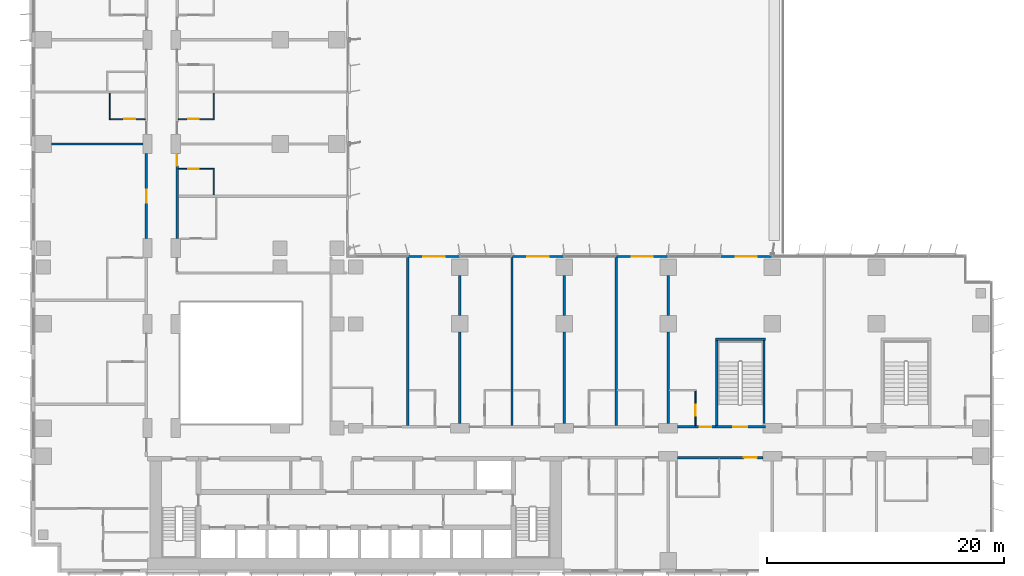
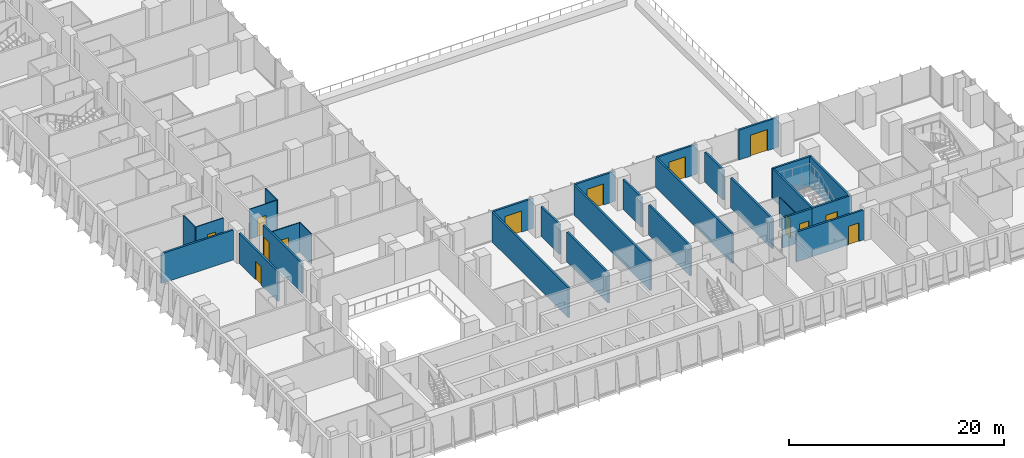
# One storey, part 13 of 23: 29 walls, 13 doors, 13 openings.
"""IFC4 building model written with IfcOpenShell, lengths in metres."""

from ifc_helpers import new_model, si_unit, direction, frame, frame_2d, origin, place, context, subcontext, project, spatial, rectangle, extrude, material, layer, layer_set, type_object, element, fill, save


model = new_model("IFC4")

# Units and contexts
model_context = context("Model", 3, precision=1e-05, world=origin(), true_north=direction((0.0, 1.0)))
body_context = subcontext(model_context, "Body", "Model", "MODEL_VIEW")
ifc_project = project(units=[si_unit("LENGTHUNIT", "METRE"), si_unit("AREAUNIT", "SQUARE_METRE"), si_unit("VOLUMEUNIT", "CUBIC_METRE"), si_unit("PLANEANGLEUNIT", "RADIAN"), si_unit("MASSUNIT", "GRAM", prefix="KILO")], contexts=[model_context])

# Site, building, storey
site_placement = place(None, origin())
site = spatial("IfcSite", under=ifc_project, at=site_placement, CompositionType="ELEMENT")
building_placement = place(site_placement, origin())
building = spatial("IfcBuilding", under=site, at=building_placement, Name="Kemantara Hotel Tower", CompositionType="ELEMENT")
storey_placement = place(building_placement, frame((0.0, 0.0, 34.0)))
storey = spatial("IfcBuildingStorey", under=building, at=storey_placement, Name="L06", CompositionType="ELEMENT", Elevation=34.0)

# Wall, opening, door
ifc_material_1 = material(Name="Gypsum board partition, steel studs and mineral wool, 200 mm", Category="steel")
ifc_layer_1 = layer(ifc_material_1, 0.199951171875)
ifc_layer_set_1 = layer_set([ifc_layer_1], Name="Gypsum board partition, steel studs and mineral wool, 200 mm")
wall_type_1 = type_object("IfcWallType", Name="CORRIDOR WALL 200", PredefinedType="PARTITIONING", material=ifc_layer_set_1)
wall_1_placement = place(storey_placement, frame((61.7998046875, 9.699951171875, 0.0), z_axis=(0.0, 0.0, 1.0), x_axis=(-1.0, 0.0, 0.0)))
wall_1 = element("IfcWall", 1, at=wall_1_placement, inside=storey, type_object=wall_type_1, Name="CORRIDOR WALL 200 002", PredefinedType="PARTITIONING", context=body_context, shape_type="SweptSolid", body=[
    extrude(rectangle(XDim=7.19970703125, YDim=0.199951171875, at=frame_2d((3.599853515625, 0.0))), origin(), (0.0, 0.0, 1.0), 3.39990234375),
])
opening_1_placement = place(wall_1_placement, frame((0.5, 0.0, 0.0)))
opening_1 = element("IfcOpeningElement", 2, at=opening_1_placement, cuts=wall_1, Name="Opening F01-005", PredefinedType="OPENING", context=body_context, shape_type="SweptSolid", body=[
    extrude(rectangle(XDim=1.10009765625, YDim=2.10009765625, at=frame_2d((0.550048828125, 1.050048828125))), frame((0.0, 0.10986328125, 0.0), z_axis=(0.0, -1.0, 0.0), x_axis=(1.0, 0.0, 0.0)), (0.0, 0.0, 1.0), 0.219970703125),
])
ifc_material_2 = material(Name="Hardwood veneer door leaf with steel frame", Category="steel")
door_type_1 = type_object("IfcDoorType", Name="SUITE ENTRANCE DOOR 1100 X 2100 FD30S", OperationType="NOTDEFINED", PredefinedType="DOOR", material=ifc_material_2)
door_1_placement = place(opening_1_placement, origin())
door_1 = element("IfcDoor", 3, at=door_1_placement, inside=storey, type_object=door_type_1, Name="SUITE ENTRANCE DOOR F01-005", OperationType="SINGLE_SWING_LEFT", OverallHeight=2.10009765625, OverallWidth=1.10009765625, PredefinedType="DOOR", context=body_context, shape_type="SweptSolid", body=[
    extrude(rectangle(XDim=1.10009765625, YDim=2.10009765625, at=frame_2d((0.550048828125, 1.050048828125))), frame((0.0, 0.02490234375, 0.0), z_axis=(0.0, -1.0, 0.0), x_axis=(1.0, 0.0, 0.0)), (0.0, 0.0, 1.0), 0.050048828125),
])
fill(opening_1, door_1)

wall_2_placement = place(storey_placement, frame((54.60009765625, 12.300048828125, 0.0), z_axis=(0.0, 0.0, 1.0), x_axis=(1.0, 0.0, 0.0)))
wall_2 = element("IfcWall", 4, at=wall_2_placement, inside=storey, type_object=wall_type_1, Name="CORRIDOR WALL 200 018", PredefinedType="PARTITIONING", context=body_context, shape_type="SweptSolid", body=[
    extrude(rectangle(XDim=3.199951171875, YDim=0.199951171875, at=frame_2d((1.60009765625, 0.0))), origin(), (0.0, 0.0, 1.0), 3.39990234375),
])
opening_2_placement = place(wall_2_placement, frame((1.849853515625, 0.0, 0.0)))
opening_2 = element("IfcOpeningElement", 5, at=opening_2_placement, cuts=wall_2, Name="Opening F01-025", PredefinedType="OPENING", context=body_context, shape_type="SweptSolid", body=[
    extrude(rectangle(XDim=1.0, YDim=2.10009765625, at=frame_2d((0.5, 1.050048828125))), frame((0.0, 0.10986328125, 0.0), z_axis=(0.0, -1.0, 0.0), x_axis=(1.0, 0.0, 0.0)), (0.0, 0.0, 1.0), 0.219970703125),
])
door_type_2 = type_object("IfcDoorType", Name="GUEST ROOM DOOR 1000 X 2100 FD30S", OperationType="NOTDEFINED", PredefinedType="DOOR", material=ifc_material_2)
door_2_placement = place(opening_2_placement, origin())
door_2 = element("IfcDoor", 6, at=door_2_placement, inside=storey, type_object=door_type_2, Name="GUEST ROOM DOOR F01-025", OperationType="SINGLE_SWING_RIGHT", OverallHeight=2.10009765625, OverallWidth=1.0, PredefinedType="DOOR", context=body_context, shape_type="SweptSolid", body=[
    extrude(rectangle(XDim=1.0, YDim=2.10009765625, at=frame_2d((0.5, 1.050048828125))), frame((0.0, 0.02490234375, 0.0), z_axis=(0.0, -1.0, 0.0), x_axis=(1.0, 0.0, 0.0)), (0.0, 0.0, 1.0), 0.050048828125),
])
fill(opening_2, door_2)

wall_3_placement = place(storey_placement, frame((9.699951171875, 28.2001953125, 0.0), z_axis=(0.0, 0.0, 1.0), x_axis=(0.0, 1.0, 0.0)))
wall_3 = element("IfcWall", 7, at=wall_3_placement, inside=storey, type_object=wall_type_1, Name="CORRIDOR WALL 200 033", PredefinedType="PARTITIONING", context=body_context, shape_type="SweptSolid", body=[
    extrude(rectangle(XDim=7.19970703125, YDim=0.199951171875, at=frame_2d((3.599853515625, 0.0))), origin(), (0.0, 0.0, 1.0), 3.39990234375),
])
opening_3_placement = place(wall_3_placement, frame((3.0498046875, 0.0, 0.0)))
opening_3 = element("IfcOpeningElement", 8, at=opening_3_placement, cuts=wall_3, Name="Opening F01-039", PredefinedType="OPENING", context=body_context, shape_type="SweptSolid", body=[
    extrude(rectangle(XDim=1.10009765625, YDim=2.10009765625, at=frame_2d((0.550048828125, 1.050048828125))), frame((0.0, 0.10986328125, 0.0), z_axis=(0.0, -1.0, 0.0), x_axis=(1.0, 0.0, 0.0)), (0.0, 0.0, 1.0), 0.219970703125),
])
door_3_placement = place(opening_3_placement, origin())
door_3 = element("IfcDoor", 9, at=door_3_placement, inside=storey, type_object=door_type_1, Name="SUITE ENTRANCE DOOR F01-039", OperationType="SINGLE_SWING_RIGHT", OverallHeight=2.10009765625, OverallWidth=1.10009765625, PredefinedType="DOOR", context=body_context, shape_type="SweptSolid", body=[
    extrude(rectangle(XDim=1.10009765625, YDim=2.10009765625, at=frame_2d((0.550048828125, 1.050048828125))), frame((0.0, 0.02490234375, 0.0), z_axis=(0.0, -1.0, 0.0), x_axis=(1.0, 0.0, 0.0)), (0.0, 0.0, 1.0), 0.050048828125),
])
fill(opening_3, door_3)

wall_4_placement = place(storey_placement, frame((12.300048828125, 35.39990234375, 0.0), z_axis=(0.0, 0.0, 1.0), x_axis=(0.0, -1.0, 0.0)))
wall_4 = element("IfcWall", 10, at=wall_4_placement, inside=storey, type_object=wall_type_1, Name="CORRIDOR WALL 200 057", PredefinedType="PARTITIONING", context=body_context, shape_type="SweptSolid", body=[
    extrude(rectangle(XDim=7.19970703125, YDim=0.199951171875, at=frame_2d((3.599853515625, 0.0))), origin(), (0.0, 0.0, 1.0), 3.39990234375),
])
opening_4_placement = place(wall_4_placement, frame((0.0498046875, 0.0, 0.0)))
opening_4 = element("IfcOpeningElement", 11, at=opening_4_placement, cuts=wall_4, Name="Opening F01-059", PredefinedType="OPENING", context=body_context, shape_type="SweptSolid", body=[
    extrude(rectangle(XDim=1.0, YDim=2.10009765625, at=frame_2d((0.5, 1.050048828125))), frame((0.0, 0.10986328125, 0.0), z_axis=(0.0, -1.0, 0.0), x_axis=(1.0, 0.0, 0.0)), (0.0, 0.0, 1.0), 0.219970703125),
])
door_4_placement = place(opening_4_placement, origin())
door_4 = element("IfcDoor", 12, at=door_4_placement, inside=storey, type_object=door_type_2, Name="GUEST ROOM DOOR F01-059", OperationType="SINGLE_SWING_LEFT", OverallHeight=2.10009765625, OverallWidth=1.0, PredefinedType="DOOR", context=body_context, shape_type="SweptSolid", body=[
    extrude(rectangle(XDim=1.0, YDim=2.10009765625, at=frame_2d((0.5, 1.050048828125))), frame((0.0, 0.02490234375, 0.0), z_axis=(0.0, -1.0, 0.0), x_axis=(1.0, 0.0, 0.0)), (0.0, 0.0, 1.0), 0.050048828125),
])
fill(opening_4, door_4)

ifc_material_3 = material(Name="Concrete fc 40 MPa", Category="concrete")
ifc_layer_2 = layer(ifc_material_3, 0.199951171875)
ifc_layer_set_2 = layer_set([ifc_layer_2], Name="Concrete fc 40 MPa")
wall_type_2 = type_object("IfcWallType", Name="Concrete stair wall 200 mm", PredefinedType="SHEAR", material=ifc_layer_set_2)
wall_5_placement = place(storey_placement, frame((57.800048828125, 12.300048828125, 0.0), z_axis=(0.0, 0.0, 1.0), x_axis=(1.0, 0.0, 0.0)))
wall_5 = element("IfcWall", 13, at=wall_5_placement, inside=storey, type_object=wall_type_2, Name="Stair ST3 enclosure wall with door", PredefinedType="SHEAR", context=body_context, shape_type="SweptSolid", body=[
    extrude(rectangle(XDim=4.199951171875, YDim=0.199951171875, at=frame_2d((2.10009765625, 0.0))), origin(), (0.0, 0.0, 1.0), 3.39990234375),
])
opening_5_placement = place(wall_5_placement, frame((1.5, 0.0, 0.0)))
opening_5 = element("IfcOpeningElement", 14, at=opening_5_placement, cuts=wall_5, Name="Opening ST3-C", PredefinedType="OPENING", context=body_context, shape_type="SweptSolid", body=[
    extrude(rectangle(XDim=1.199951171875, YDim=2.10009765625, at=frame_2d((0.60009765625, 1.050048828125))), frame((0.0, 0.10986328125, 0.0), z_axis=(0.0, -1.0, 0.0), x_axis=(1.0, 0.0, 0.0)), (0.0, 0.0, 1.0), 0.219970703125),
])
ifc_material_4 = material(Name="Steel fire door", Category="steel")
door_type_3 = type_object("IfcDoorType", Name="Fire door FD90 1200 x 2100", OperationType="NOTDEFINED", PredefinedType="DOOR", material=ifc_material_4)
door_5_placement = place(opening_5_placement, origin())
door_5 = element("IfcDoor", 15, at=door_5_placement, inside=storey, type_object=door_type_3, Name="Stair ST3 door", OperationType="SINGLE_SWING_RIGHT", OverallHeight=2.10009765625, OverallWidth=1.199951171875, PredefinedType="DOOR", context=body_context, shape_type="SweptSolid", body=[
    extrude(rectangle(XDim=1.199951171875, YDim=2.10009765625, at=frame_2d((0.60009765625, 1.050048828125))), frame((0.0, 0.02490234375, 0.0), z_axis=(0.0, -1.0, 0.0), x_axis=(1.0, 0.0, 0.0)), (0.0, 0.0, 1.0), 0.050048828125),
])
fill(opening_5, door_5)

# Walls
wall_6_placement = place(storey_placement, frame((57.800048828125, 19.699951171875, 0.0), z_axis=(0.0, 0.0, 1.0), x_axis=(1.0, 0.0, 0.0)))
element("IfcWall", 16, at=wall_6_placement, inside=storey, type_object=wall_type_2, Name="Stair ST3 enclosure wall N", PredefinedType="SHEAR", context=body_context, shape_type="SweptSolid", body=[
    extrude(rectangle(XDim=4.199951171875, YDim=0.199951171875, at=frame_2d((2.10009765625, 0.0))), origin(), (0.0, 0.0, 1.0), 3.39990234375),
])
for number, where, z_axis, x_axis, name in (
    (17, (57.89990234375, 12.39990234375, 0.0), (0.0, 0.0, 1.0), (0.0, 1.0, 0.0), "Stair ST3 enclosure wall W"),
    (18, (61.89990234375, 12.39990234375, 0.0), (0.0, 0.0, 1.0), (0.0, 1.0, 0.0), "Stair ST3 enclosure wall E"),
):
    element("IfcWall", number, at=place(storey_placement, frame(where, z_axis=z_axis, x_axis=x_axis)), inside=storey, type_object=wall_type_2, Name=name, PredefinedType="SHEAR", context=body_context, shape_type="SweptSolid", body=[
        extrude(rectangle(XDim=7.2001953125, YDim=0.199951171875, at=frame_2d((3.60009765625, 0.0))), origin(), (0.0, 0.0, 1.0), 3.39990234375),
    ])
ifc_layer_3 = layer(ifc_material_1, 0.199951171875)
ifc_layer_set_3 = layer_set([ifc_layer_3], Name="Gypsum board partition, steel studs and mineral wool, 200 mm")
wall_type_3 = type_object("IfcWallType", Name="GUEST ROOM PARTY WALL 200", PredefinedType="PARTITIONING", material=ifc_layer_set_3)
wall_7_placement = place(storey_placement, frame((49.39990234375, 12.39990234375, 0.0), z_axis=(0.0, 0.0, 1.0), x_axis=(0.0, 1.0, 0.0)))
element("IfcWall", 19, at=wall_7_placement, inside=storey, type_object=wall_type_3, Name="GUEST ROOM PARTY WALL 200 006", PredefinedType="PARTITIONING", context=body_context, shape_type="SweptSolid", body=[
    extrude(rectangle(XDim=14.199951171875, YDim=0.199951171875, at=frame_2d((7.10009765625, 0.0))), origin(), (0.0, 0.0, 1.0), 3.39990234375),
])
wall_8_placement = place(storey_placement, frame((53.800048828125, 12.60009765625, 0.0), z_axis=(0.0, 0.0, 1.0), x_axis=(0.0, 1.0, 0.0)))
element("IfcWall", 20, at=wall_8_placement, inside=storey, type_object=wall_type_3, Name="GUEST ROOM PARTY WALL 200 008", PredefinedType="PARTITIONING", context=body_context, shape_type="SweptSolid", body=[
    extrude(rectangle(XDim=7.69970703125, YDim=0.199951171875, at=frame_2d((3.849853515625, 0.0))), origin(), (0.0, 0.0, 1.0), 3.39990234375),
])
wall_9_placement = place(storey_placement, frame((53.800048828125, 21.7001953125, 0.0), z_axis=(0.0, 0.0, 1.0), x_axis=(0.0, 1.0, 0.0)))
element("IfcWall", 21, at=wall_9_placement, inside=storey, type_object=wall_type_3, Name="GUEST ROOM PARTY WALL 200 009", PredefinedType="PARTITIONING", context=body_context, shape_type="SweptSolid", body=[
    extrude(rectangle(XDim=3.399658203125, YDim=0.199951171875, at=frame_2d((1.69970703125, 0.0))), origin(), (0.0, 0.0, 1.0), 3.39990234375),
])
wall_10_placement = place(storey_placement, frame((31.800048828125, 12.39990234375, 0.0), z_axis=(0.0, 0.0, 1.0), x_axis=(0.0, 1.0, 0.0)))
element("IfcWall", 22, at=wall_10_placement, inside=storey, type_object=wall_type_3, Name="GUEST ROOM PARTY WALL 200 024", PredefinedType="PARTITIONING", context=body_context, shape_type="SweptSolid", body=[
    extrude(rectangle(XDim=14.199951171875, YDim=0.199951171875, at=frame_2d((7.10009765625, 0.0))), origin(), (0.0, 0.0, 1.0), 3.39990234375),
])
wall_11_placement = place(storey_placement, frame((36.199951171875, 12.60009765625, 0.0), z_axis=(0.0, 0.0, 1.0), x_axis=(0.0, 1.0, 0.0)))
element("IfcWall", 23, at=wall_11_placement, inside=storey, type_object=wall_type_3, Name="GUEST ROOM PARTY WALL 200 025", PredefinedType="PARTITIONING", context=body_context, shape_type="SweptSolid", body=[
    extrude(rectangle(XDim=7.69970703125, YDim=0.199951171875, at=frame_2d((3.849853515625, 0.0))), origin(), (0.0, 0.0, 1.0), 3.39990234375),
])
wall_12_placement = place(storey_placement, frame((36.199951171875, 21.7001953125, 0.0), z_axis=(0.0, 0.0, 1.0), x_axis=(0.0, 1.0, 0.0)))
element("IfcWall", 24, at=wall_12_placement, inside=storey, type_object=wall_type_3, Name="GUEST ROOM PARTY WALL 200 026", PredefinedType="PARTITIONING", context=body_context, shape_type="SweptSolid", body=[
    extrude(rectangle(XDim=3.399658203125, YDim=0.199951171875, at=frame_2d((1.69970703125, 0.0))), origin(), (0.0, 0.0, 1.0), 3.39990234375),
])
wall_13_placement = place(storey_placement, frame((40.60009765625, 12.39990234375, 0.0), z_axis=(0.0, 0.0, 1.0), x_axis=(0.0, 1.0, 0.0)))
element("IfcWall", 25, at=wall_13_placement, inside=storey, type_object=wall_type_3, Name="GUEST ROOM PARTY WALL 200 027", PredefinedType="PARTITIONING", context=body_context, shape_type="SweptSolid", body=[
    extrude(rectangle(XDim=14.199951171875, YDim=0.199951171875, at=frame_2d((7.10009765625, 0.0))), origin(), (0.0, 0.0, 1.0), 3.39990234375),
])
wall_14_placement = place(storey_placement, frame((45.0, 12.60009765625, 0.0), z_axis=(0.0, 0.0, 1.0), x_axis=(0.0, 1.0, 0.0)))
element("IfcWall", 26, at=wall_14_placement, inside=storey, type_object=wall_type_3, Name="GUEST ROOM PARTY WALL 200 028", PredefinedType="PARTITIONING", context=body_context, shape_type="SweptSolid", body=[
    extrude(rectangle(XDim=7.69970703125, YDim=0.199951171875, at=frame_2d((3.849853515625, 0.0))), origin(), (0.0, 0.0, 1.0), 3.39990234375),
])
wall_15_placement = place(storey_placement, frame((45.0, 21.7001953125, 0.0), z_axis=(0.0, 0.0, 1.0), x_axis=(0.0, 1.0, 0.0)))
element("IfcWall", 27, at=wall_15_placement, inside=storey, type_object=wall_type_3, Name="GUEST ROOM PARTY WALL 200 029", PredefinedType="PARTITIONING", context=body_context, shape_type="SweptSolid", body=[
    extrude(rectangle(XDim=3.399658203125, YDim=0.199951171875, at=frame_2d((1.69970703125, 0.0))), origin(), (0.0, 0.0, 1.0), 3.39990234375),
])
wall_16_placement = place(storey_placement, frame((1.7001953125, 36.199951171875, 0.0), z_axis=(0.0, 0.0, 1.0), x_axis=(1.0, 0.0, 0.0)))
element("IfcWall", 28, at=wall_16_placement, inside=storey, type_object=wall_type_3, Name="GUEST ROOM PARTY WALL 200 041", PredefinedType="PARTITIONING", context=body_context, shape_type="SweptSolid", body=[
    extrude(rectangle(XDim=7.69970703125, YDim=0.199951171875, at=frame_2d((3.849853515625, 0.0))), origin(), (0.0, 0.0, 1.0), 3.39990234375),
])

# Wall, opening, door
ifc_material_5 = material(Name="Gypsum board partition on steel studs, 100 mm", Category="steel")
ifc_layer_4 = layer(ifc_material_5, 0.10009765625)
ifc_layer_set_4 = layer_set([ifc_layer_4], Name="Gypsum board partition on steel studs, 100 mm")
wall_type_4 = type_object("IfcWallType", Name="ROOM PARTITION 100", PredefinedType="PARTITIONING", material=ifc_layer_set_4)
wall_17_placement = place(storey_placement, frame((56.10009765625, 12.39990234375, 0.0), z_axis=(0.0, 0.0, 1.0), x_axis=(0.0, 1.0, 0.0)))
wall_17 = element("IfcWall", 29, at=wall_17_placement, inside=storey, type_object=wall_type_4, Name="ROOM PARTITION 100 102", PredefinedType="PARTITIONING", context=body_context, shape_type="SweptSolid", body=[
    extrude(rectangle(XDim=2.9501953125, YDim=0.10009765625, at=frame_2d((1.47509765625, 0.0))), origin(), (0.0, 0.0, 1.0), 3.39990234375),
])
opening_6_placement = place(wall_17_placement, frame((0.85009765625, 0.0, 0.0)))
opening_6 = element("IfcOpeningElement", 30, at=opening_6_placement, cuts=wall_17, Name="Opening F01-026", PredefinedType="OPENING", context=body_context, shape_type="SweptSolid", body=[
    extrude(rectangle(XDim=0.89990234375, YDim=2.10009765625, at=frame_2d((0.449951171875, 1.050048828125))), frame((0.0, 0.06005859375, 0.0), z_axis=(0.0, -1.0, 0.0), x_axis=(1.0, 0.0, 0.0)), (0.0, 0.0, 1.0), 0.1201171875),
])
door_type_4 = type_object("IfcDoorType", Name="BATHROOM DOOR 900 X 2100", OperationType="NOTDEFINED", PredefinedType="DOOR", material=ifc_material_2)
door_6_placement = place(opening_6_placement, origin())
door_6 = element("IfcDoor", 31, at=door_6_placement, inside=storey, type_object=door_type_4, Name="BATHROOM DOOR F01-026", OperationType="SINGLE_SWING_LEFT", OverallHeight=2.10009765625, OverallWidth=0.89990234375, PredefinedType="DOOR", context=body_context, shape_type="SweptSolid", body=[
    extrude(rectangle(XDim=0.89990234375, YDim=2.10009765625, at=frame_2d((0.449951171875, 1.050048828125))), frame((0.0, 0.02490234375, 0.0), z_axis=(0.0, -1.0, 0.0), x_axis=(1.0, 0.0, 0.0)), (0.0, 0.0, 1.0), 0.050048828125),
])
fill(opening_6, door_6)

# Wall
wall_18_placement = place(storey_placement, frame((6.60009765625, 38.25, 0.0), z_axis=(0.0, 0.0, 1.0), x_axis=(0.0, 1.0, 0.0)))
element("IfcWall", 32, at=wall_18_placement, inside=storey, type_object=wall_type_4, Name="ROOM PARTITION 100 116", PredefinedType="PARTITIONING", context=body_context, shape_type="SweptSolid", body=[
    extrude(rectangle(XDim=2.25, YDim=0.10009765625, at=frame_2d((1.125, 0.0))), origin(), (0.0, 0.0, 1.0), 3.39990234375),
])

# Wall, opening, door
wall_19_placement = place(storey_placement, frame((6.64990234375, 38.300048828125, 0.0), z_axis=(0.0, 0.0, 1.0), x_axis=(1.0, 0.0, 0.0)))
wall_19 = element("IfcWall", 33, at=wall_19_placement, inside=storey, type_object=wall_type_4, Name="ROOM PARTITION 100 121", PredefinedType="PARTITIONING", context=body_context, shape_type="SweptSolid", body=[
    extrude(rectangle(XDim=2.9501953125, YDim=0.10009765625, at=frame_2d((1.47509765625, 0.0))), origin(), (0.0, 0.0, 1.0), 3.39990234375),
])
opening_7_placement = place(wall_19_placement, frame((1.199951171875, 0.0, 0.0)))
opening_7 = element("IfcOpeningElement", 34, at=opening_7_placement, cuts=wall_19, Name="Opening F01-042", PredefinedType="OPENING", context=body_context, shape_type="SweptSolid", body=[
    extrude(rectangle(XDim=0.89990234375, YDim=2.10009765625, at=frame_2d((0.449951171875, 1.050048828125))), frame((0.0, 0.06005859375, 0.0), z_axis=(0.0, -1.0, 0.0), x_axis=(1.0, 0.0, 0.0)), (0.0, 0.0, 1.0), 0.1201171875),
])
door_7_placement = place(opening_7_placement, origin())
door_7 = element("IfcDoor", 35, at=door_7_placement, inside=storey, type_object=door_type_4, Name="BATHROOM DOOR F01-042", OperationType="SINGLE_SWING_RIGHT", OverallHeight=2.10009765625, OverallWidth=0.89990234375, PredefinedType="DOOR", context=body_context, shape_type="SweptSolid", body=[
    extrude(rectangle(XDim=0.89990234375, YDim=2.10009765625, at=frame_2d((0.449951171875, 1.050048828125))), frame((0.0, 0.02490234375, 0.0), z_axis=(0.0, -1.0, 0.0), x_axis=(1.0, 0.0, 0.0)), (0.0, 0.0, 1.0), 0.050048828125),
])
fill(opening_7, door_7)

wall_20_placement = place(storey_placement, frame((12.39990234375, 38.300048828125, 0.0), z_axis=(0.0, 0.0, 1.0), x_axis=(1.0, 0.0, 0.0)))
wall_20 = element("IfcWall", 36, at=wall_20_placement, inside=storey, type_object=wall_type_4, Name="ROOM PARTITION 100 122", PredefinedType="PARTITIONING", context=body_context, shape_type="SweptSolid", body=[
    extrude(rectangle(XDim=2.9501953125, YDim=0.10009765625, at=frame_2d((1.47509765625, 0.0))), origin(), (0.0, 0.0, 1.0), 3.39990234375),
])
opening_8_placement = place(wall_20_placement, frame((0.85009765625, 0.0, 0.0)))
opening_8 = element("IfcOpeningElement", 37, at=opening_8_placement, cuts=wall_20, Name="Opening F01-062", PredefinedType="OPENING", context=body_context, shape_type="SweptSolid", body=[
    extrude(rectangle(XDim=0.89990234375, YDim=2.10009765625, at=frame_2d((0.449951171875, 1.050048828125))), frame((0.0, 0.06005859375, 0.0), z_axis=(0.0, -1.0, 0.0), x_axis=(1.0, 0.0, 0.0)), (0.0, 0.0, 1.0), 0.1201171875),
])
door_8_placement = place(opening_8_placement, origin())
door_8 = element("IfcDoor", 38, at=door_8_placement, inside=storey, type_object=door_type_4, Name="BATHROOM DOOR F01-062", OperationType="SINGLE_SWING_LEFT", OverallHeight=2.10009765625, OverallWidth=0.89990234375, PredefinedType="DOOR", context=body_context, shape_type="SweptSolid", body=[
    extrude(rectangle(XDim=0.89990234375, YDim=2.10009765625, at=frame_2d((0.449951171875, 1.050048828125))), frame((0.0, 0.02490234375, 0.0), z_axis=(0.0, -1.0, 0.0), x_axis=(1.0, 0.0, 0.0)), (0.0, 0.0, 1.0), 0.050048828125),
])
fill(opening_8, door_8)

# Walls
for number, where, z_axis, x_axis, name in (
    (39, (15.39990234375, 31.89990234375, 0.0), (0.0, 0.0, 1.0), (0.0, 1.0, 0.0), "ROOM PARTITION 100 136"),
    (40, (15.39990234375, 38.25, 0.0), (0.0, 0.0, 1.0), (0.0, 1.0, 0.0), "ROOM PARTITION 100 137"),
):
    element("IfcWall", number, at=place(storey_placement, frame(where, z_axis=z_axis, x_axis=x_axis)), inside=storey, type_object=wall_type_4, Name=name, PredefinedType="PARTITIONING", context=body_context, shape_type="SweptSolid", body=[
        extrude(rectangle(XDim=2.25, YDim=0.10009765625, at=frame_2d((1.125, 0.0))), origin(), (0.0, 0.0, 1.0), 3.39990234375),
    ])

# Wall, opening, door
wall_21_placement = place(storey_placement, frame((15.35009765625, 34.10009765625, 0.0), z_axis=(0.0, 0.0, 1.0), x_axis=(-1.0, 0.0, 0.0)))
wall_21 = element("IfcWall", 41, at=wall_21_placement, inside=storey, type_object=wall_type_4, Name="ROOM PARTITION 100 143", PredefinedType="PARTITIONING", context=body_context, shape_type="SweptSolid", body=[
    extrude(rectangle(XDim=2.9501953125, YDim=0.10009765625, at=frame_2d((1.47509765625, 0.0))), origin(), (0.0, 0.0, 1.0), 3.39990234375),
])
opening_9_placement = place(wall_21_placement, frame((1.199951171875, 0.0, 0.0)))
opening_9 = element("IfcOpeningElement", 42, at=opening_9_placement, cuts=wall_21, Name="Opening F01-060", PredefinedType="OPENING", context=body_context, shape_type="SweptSolid", body=[
    extrude(rectangle(XDim=0.89990234375, YDim=2.10009765625, at=frame_2d((0.449951171875, 1.050048828125))), frame((0.0, 0.06005859375, 0.0), z_axis=(0.0, -1.0, 0.0), x_axis=(1.0, 0.0, 0.0)), (0.0, 0.0, 1.0), 0.1201171875),
])
door_9_placement = place(opening_9_placement, origin())
door_9 = element("IfcDoor", 43, at=door_9_placement, inside=storey, type_object=door_type_4, Name="BATHROOM DOOR F01-060", OperationType="SINGLE_SWING_RIGHT", OverallHeight=2.10009765625, OverallWidth=0.89990234375, PredefinedType="DOOR", context=body_context, shape_type="SweptSolid", body=[
    extrude(rectangle(XDim=0.89990234375, YDim=2.10009765625, at=frame_2d((0.449951171875, 1.050048828125))), frame((0.0, 0.02490234375, 0.0), z_axis=(0.0, -1.0, 0.0), x_axis=(1.0, 0.0, 0.0)), (0.0, 0.0, 1.0), 0.050048828125),
])
fill(opening_9, door_9)

ifc_material_6 = material(Name="Bronze ceramic cladding on insulated steel stud wall", Category="steel")
ifc_layer_5 = layer(ifc_material_6, 0.199951171875)
ifc_layer_set_5 = layer_set([ifc_layer_5], Name="Bronze ceramic cladding on insulated steel stud wall")
wall_type_5 = type_object("IfcWallType", Name="TERRACE DOOR BAY WALL 200", PredefinedType="STANDARD", material=ifc_layer_set_5)
wall_22_placement = place(storey_placement, frame((62.570068359375, 26.699951171875, 0.0), z_axis=(0.0, 0.0, 1.0), x_axis=(-1.0, 0.0, 0.0)))
wall_22 = element("IfcWall", 44, at=wall_22_placement, inside=storey, type_object=wall_type_5, Name="TERRACE DOOR BAY WALL L06 T1-R07-1", PredefinedType="STANDARD", context=body_context, shape_type="SweptSolid", body=[
    extrude(rectangle(XDim=4.340087890625, YDim=0.199951171875, at=frame_2d((2.169921875, 0.0))), origin(), (0.0, 0.0, 1.0), 3.39990234375),
])
opening_10_placement = place(wall_22_placement, frame((1.27001953125, 0.0, 0.0)))
opening_10 = element("IfcOpeningElement", 45, at=opening_10_placement, cuts=wall_22, Name="Opening TD-L06-01", PredefinedType="OPENING", context=body_context, shape_type="SweptSolid", body=[
    extrude(rectangle(XDim=1.800048828125, YDim=2.39990234375, at=frame_2d((0.89990234375, 1.199951171875))), frame((0.0, 0.10986328125, 0.0), z_axis=(0.0, -1.0, 0.0), x_axis=(1.0, 0.0, 0.0)), (0.0, 0.0, 1.0), 0.219970703125),
])
ifc_material_7 = material(Name="Toughened tinted glass in bronze anodised aluminium frame", Category="aluminium")
door_type_5 = type_object("IfcDoorType", Name="TERRACE DOOR, DOUBLE LEAF GLAZED 1800x2400", OperationType="DOUBLE_DOOR_SINGLE_SWING", PredefinedType="DOOR", material=ifc_material_7)
door_10_placement = place(opening_10_placement, origin())
door_10 = element("IfcDoor", 46, at=door_10_placement, inside=storey, type_object=door_type_5, Name="TERRACE DOOR L06 T1-R07-1", OperationType="SINGLE_SWING_LEFT", OverallHeight=2.39990234375, OverallWidth=1.800048828125, PredefinedType="DOOR", context=body_context, shape_type="SweptSolid", body=[
    extrude(rectangle(XDim=1.800048828125, YDim=2.39990234375, at=frame_2d((0.89990234375, 1.199951171875))), frame((0.0, 0.02490234375, 0.0), z_axis=(0.0, -1.0, 0.0), x_axis=(1.0, 0.0, 0.0)), (0.0, 0.0, 1.0), 0.050048828125),
])
fill(opening_10, door_10)

wall_23_placement = place(storey_placement, frame((53.77001953125, 26.699951171875, 0.0), z_axis=(0.0, 0.0, 1.0), x_axis=(-1.0, 0.0, 0.0)))
wall_23 = element("IfcWall", 47, at=wall_23_placement, inside=storey, type_object=wall_type_5, Name="TERRACE DOOR BAY WALL L06 T1-R07-2", PredefinedType="STANDARD", context=body_context, shape_type="SweptSolid", body=[
    extrude(rectangle(XDim=4.340087890625, YDim=0.199951171875, at=frame_2d((2.169921875, 0.0))), origin(), (0.0, 0.0, 1.0), 3.39990234375),
])
opening_11_placement = place(wall_23_placement, frame((1.27001953125, 0.0, 0.0)))
opening_11 = element("IfcOpeningElement", 48, at=opening_11_placement, cuts=wall_23, Name="Opening TD-L06-02", PredefinedType="OPENING", context=body_context, shape_type="SweptSolid", body=[
    extrude(rectangle(XDim=1.800048828125, YDim=2.39990234375, at=frame_2d((0.89990234375, 1.199951171875))), frame((0.0, 0.10986328125, 0.0), z_axis=(0.0, -1.0, 0.0), x_axis=(1.0, 0.0, 0.0)), (0.0, 0.0, 1.0), 0.219970703125),
])
door_11_placement = place(opening_11_placement, origin())
door_11 = element("IfcDoor", 49, at=door_11_placement, inside=storey, type_object=door_type_5, Name="TERRACE DOOR L06 T1-R07-2", OperationType="SINGLE_SWING_LEFT", OverallHeight=2.39990234375, OverallWidth=1.800048828125, PredefinedType="DOOR", context=body_context, shape_type="SweptSolid", body=[
    extrude(rectangle(XDim=1.800048828125, YDim=2.39990234375, at=frame_2d((0.89990234375, 1.199951171875))), frame((0.0, 0.02490234375, 0.0), z_axis=(0.0, -1.0, 0.0), x_axis=(1.0, 0.0, 0.0)), (0.0, 0.0, 1.0), 0.050048828125),
])
fill(opening_11, door_11)

wall_24_placement = place(storey_placement, frame((44.969970703125, 26.699951171875, 0.0), z_axis=(0.0, 0.0, 1.0), x_axis=(-1.0, 0.0, 0.0)))
wall_24 = element("IfcWall", 50, at=wall_24_placement, inside=storey, type_object=wall_type_5, Name="TERRACE DOOR BAY WALL L06 T1-R07-3", PredefinedType="STANDARD", context=body_context, shape_type="SweptSolid", body=[
    extrude(rectangle(XDim=4.340087890625, YDim=0.199951171875, at=frame_2d((2.169921875, 0.0))), origin(), (0.0, 0.0, 1.0), 3.39990234375),
])
opening_12_placement = place(wall_24_placement, frame((1.27001953125, 0.0, 0.0)))
opening_12 = element("IfcOpeningElement", 51, at=opening_12_placement, cuts=wall_24, Name="Opening TD-L06-03", PredefinedType="OPENING", context=body_context, shape_type="SweptSolid", body=[
    extrude(rectangle(XDim=1.800048828125, YDim=2.39990234375, at=frame_2d((0.89990234375, 1.199951171875))), frame((0.0, 0.10986328125, 0.0), z_axis=(0.0, -1.0, 0.0), x_axis=(1.0, 0.0, 0.0)), (0.0, 0.0, 1.0), 0.219970703125),
])
door_12_placement = place(opening_12_placement, origin())
door_12 = element("IfcDoor", 52, at=door_12_placement, inside=storey, type_object=door_type_5, Name="TERRACE DOOR L06 T1-R07-3", OperationType="SINGLE_SWING_LEFT", OverallHeight=2.39990234375, OverallWidth=1.800048828125, PredefinedType="DOOR", context=body_context, shape_type="SweptSolid", body=[
    extrude(rectangle(XDim=1.800048828125, YDim=2.39990234375, at=frame_2d((0.89990234375, 1.199951171875))), frame((0.0, 0.02490234375, 0.0), z_axis=(0.0, -1.0, 0.0), x_axis=(1.0, 0.0, 0.0)), (0.0, 0.0, 1.0), 0.050048828125),
])
fill(opening_12, door_12)

wall_25_placement = place(storey_placement, frame((36.169921875, 26.699951171875, 0.0), z_axis=(0.0, 0.0, 1.0), x_axis=(-1.0, 0.0, 0.0)))
wall_25 = element("IfcWall", 53, at=wall_25_placement, inside=storey, type_object=wall_type_5, Name="TERRACE DOOR BAY WALL L06 T1-R07-4", PredefinedType="STANDARD", context=body_context, shape_type="SweptSolid", body=[
    extrude(rectangle(XDim=4.33984375, YDim=0.199951171875, at=frame_2d((2.169921875, 0.0))), origin(), (0.0, 0.0, 1.0), 3.39990234375),
])
opening_13_placement = place(wall_25_placement, frame((1.27001953125, 0.0, 0.0)))
opening_13 = element("IfcOpeningElement", 54, at=opening_13_placement, cuts=wall_25, Name="Opening TD-L06-04", PredefinedType="OPENING", context=body_context, shape_type="SweptSolid", body=[
    extrude(rectangle(XDim=1.800048828125, YDim=2.39990234375, at=frame_2d((0.89990234375, 1.199951171875))), frame((0.0, 0.10986328125, 0.0), z_axis=(0.0, -1.0, 0.0), x_axis=(1.0, 0.0, 0.0)), (0.0, 0.0, 1.0), 0.219970703125),
])
door_13_placement = place(opening_13_placement, origin())
door_13 = element("IfcDoor", 55, at=door_13_placement, inside=storey, type_object=door_type_5, Name="TERRACE DOOR L06 T1-R07-4", OperationType="SINGLE_SWING_LEFT", OverallHeight=2.39990234375, OverallWidth=1.800048828125, PredefinedType="DOOR", context=body_context, shape_type="SweptSolid", body=[
    extrude(rectangle(XDim=1.800048828125, YDim=2.39990234375, at=frame_2d((0.89990234375, 1.199951171875))), frame((0.0, 0.02490234375, 0.0), z_axis=(0.0, -1.0, 0.0), x_axis=(1.0, 0.0, 0.0)), (0.0, 0.0, 1.0), 0.050048828125),
])
fill(opening_13, door_13)

save(model, "model.ifc")
